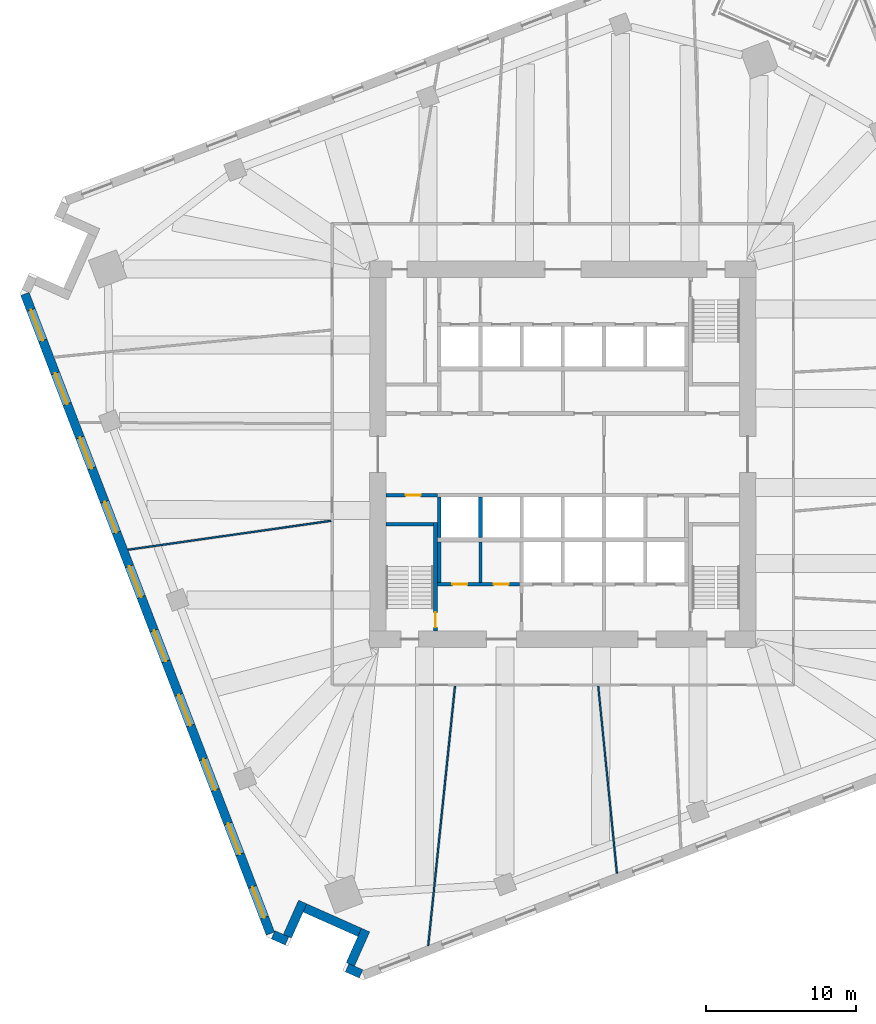
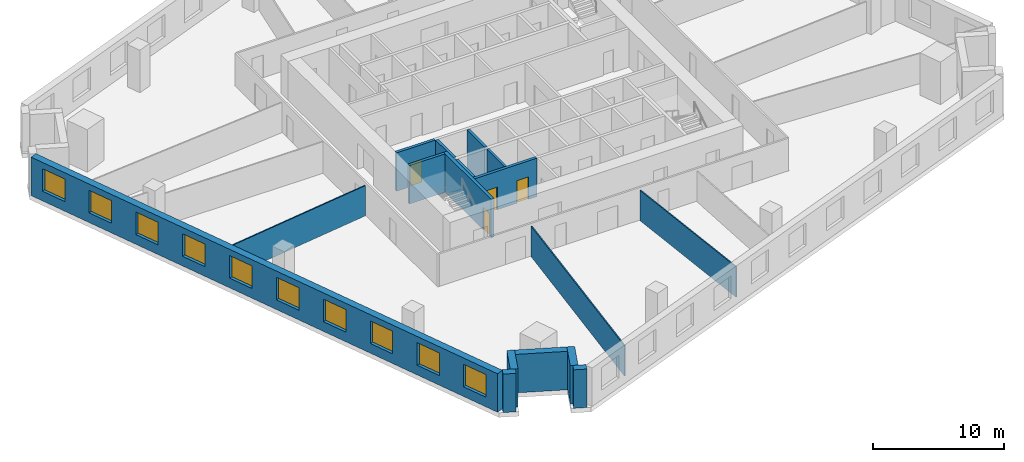
# One storey, part 7 of 14: 17 walls, 10 windows, 4 doors, 14 openings.
"""IFC4 building model written with IfcOpenShell, lengths in metres."""

import ifcopenshell
import ifcopenshell.guid

model = None  # the IFC model being written
_history = None  # IfcOwnerHistory: only IFC2X3 demands one
_inside = {}  # id of a spatial element -> (the spatial element, [elements in it])
_under = {}  # id of a project, library or spatial element -> (it, [spatial elements below it])
_declared = {}  # id of a project -> (the project, [libraries it declares])
_typed = {}  # id of a type object -> (the type object, [elements of that type])
_made_of = {}  # id of a material, layer set ... -> (it, [elements and type objects made of it])


def new_model(schema):
    """Start an empty IFC model of exactly this schema.

    Asked for "IFC4X3", IfcOpenShell would pick the latest addendum, in which some entities
    have other attributes; the version numbers below select the first issue.
    IFC2X3 requires an IfcOwnerHistory on every rooted entity: one is made here for all.
    """
    global model, _history
    if schema == "IFC4X3":
        model = ifcopenshell.file(schema_version=(4, 3, 0, 0))
    else:
        model = ifcopenshell.file(schema=schema)
    _inside.clear()
    _under.clear()
    _declared.clear()
    _typed.clear()
    _made_of.clear()
    _history = None
    if model.schema == "IFC2X3":
        org = make("IfcOrganization", Name="unknown")
        user = make(
            "IfcPersonAndOrganization",
            ThePerson=make("IfcPerson", FamilyName="unknown"),
            TheOrganization=org,
        )
        app = make(
            "IfcApplication",
            ApplicationDeveloper=org,
            Version="unknown",
            ApplicationFullName="unknown",
            ApplicationIdentifier="unknown",
        )
        _history = make(
            "IfcOwnerHistory",
            OwningUser=user,
            OwningApplication=app,
            ChangeAction="ADDED",
            CreationDate=0,
        )
    return model


def make(cls, **values):
    """One entity of the class cls with the attributes given. An attribute that is None is left unset."""
    return model.create_entity(
        cls, **{name: value for name, value in values.items() if value is not None}
    )


def rooted(cls, **values):
    """An entity with a GlobalId (a new one), such as an element, a storey or a relation."""
    return make(cls, GlobalId=ifcopenshell.guid.new(), OwnerHistory=_history, **values)


def si_unit(unit_type, name, prefix=None):
    """IfcSIUnit, for example si_unit("LENGTHUNIT", "METRE", prefix="MILLI")."""
    return make("IfcSIUnit", UnitType=unit_type, Prefix=prefix, Name=name)


def assignment(units):
    """IfcUnitAssignment: the units of a project."""
    return None if units is None else make("IfcUnitAssignment", Units=units)


def point(xyz):
    """IfcCartesianPoint."""
    return None if xyz is None else make("IfcCartesianPoint", Coordinates=xyz)


def direction(xyz):
    """IfcDirection."""
    return None if xyz is None else make("IfcDirection", DirectionRatios=xyz)


def frame(location, z_axis=None, x_axis=None):
    """IfcAxis2Placement3D, a coordinate frame: its origin and axes. An axis left out is left unset."""
    return make(
        "IfcAxis2Placement3D",
        Location=point(location),
        Axis=direction(z_axis),
        RefDirection=direction(x_axis),
    )


def frame_2d(location, x_axis=None):
    """IfcAxis2Placement2D, a coordinate frame in the plane: its origin and x axis."""
    return make(
        "IfcAxis2Placement2D", Location=point(location), RefDirection=direction(x_axis)
    )


def origin():
    """The frame at (0, 0, 0) with its axes left unset."""
    return frame((0.0, 0.0, 0.0))


def place(relative_to, where):
    """IfcLocalPlacement: puts the frame where relative to a parent placement (None: the world)."""
    return make(
        "IfcLocalPlacement", PlacementRelTo=relative_to, RelativePlacement=where
    )


def context(
    kind, dimensions, precision=None, world=None, true_north=None, identifier=None
):
    """IfcGeometricRepresentationContext, for example the 3D "Model" context."""
    return make(
        "IfcGeometricRepresentationContext",
        ContextIdentifier=identifier,
        ContextType=kind,
        CoordinateSpaceDimension=dimensions,
        Precision=precision,
        WorldCoordinateSystem=world,
        TrueNorth=true_north,
    )


def subcontext(parent, identifier, kind, view, scale=None):
    """IfcGeometricRepresentationSubContext, for example "Body" below "Model"."""
    return make(
        "IfcGeometricRepresentationSubContext",
        ContextIdentifier=identifier,
        ContextType=kind,
        ParentContext=parent,
        TargetScale=scale,
        TargetView=view,
    )


def project(units=None, contexts=None):
    """IfcProject with its units and contexts."""
    return rooted(
        "IfcProject",
        Name="project",
        RepresentationContexts=contexts,
        UnitsInContext=assignment(units),
    )


def spatial(cls, under=None, at=None, **own):
    """A site, building, storey or space (cls), placed at a placement, below another one or the project."""
    s = rooted(cls, ObjectPlacement=at, **own)
    if under is not None:
        _under.setdefault(under.id(), (under, []))[1].append(s)
    return s


def profile(cls, at=None, kind="AREA", **sizes):
    """A parametric profile (cls). Its sizes go by their IFC names, for example OverallWidth=200.0."""
    return make(cls, ProfileType=kind, Position=at, **sizes)


def rectangle(**sizes):
    """IfcRectangleProfileDef."""
    return profile("IfcRectangleProfileDef", **sizes)


def extrude(swept, where, along, depth):
    """IfcExtrudedAreaSolid: the profile swept, set in the frame where, extruded along a direction by depth."""
    return make(
        "IfcExtrudedAreaSolid",
        SweptArea=swept,
        Position=where,
        ExtrudedDirection=direction(along),
        Depth=depth,
    )


def shape(context_of_items, identifier, shape_type, items):
    """IfcShapeRepresentation: the items that make up one representation, for example the "Body"."""
    return make(
        "IfcShapeRepresentation",
        ContextOfItems=context_of_items,
        RepresentationIdentifier=identifier,
        RepresentationType=shape_type,
        Items=items,
    )


def material(Name=None, Category=None):
    """IfcMaterial."""
    return make("IfcMaterial", Name=Name, Category=Category)


def layer(
    of_material, thickness, ventilated=None, Name=None, Category=None, Priority=None
):
    """IfcMaterialLayer: one layer of a wall or slab, of a material (None: an air gap)."""
    return make(
        "IfcMaterialLayer",
        Material=of_material,
        LayerThickness=thickness,
        IsVentilated=ventilated,
        Name=Name,
        Category=Category,
        Priority=Priority,
    )


def layer_set(layers, Name=None):
    """IfcMaterialLayerSet."""
    return make("IfcMaterialLayerSet", MaterialLayers=layers, LayerSetName=Name)


def made_of(thing, what):
    """Note that an element or type object is made of a material, layer set ...; save() writes the relation."""
    if what is not None:
        _made_of.setdefault(what.id(), (what, []))[1].append(thing)
    return thing


def type_object(cls, material=None, **own):
    """A type object (cls), such as IfcWallType, which elements share."""
    return made_of(rooted(cls, **own), material)


def element(
    cls,
    number,
    at=None,
    inside=None,
    cuts=None,
    type_object=None,
    material=None,
    context=None,
    identifier="Body",
    shape_type=None,
    held_by="IfcProductDefinitionShape",
    body=None,
    shapes=None,
    **own,
):
    """One element of the class cls, such as IfcWall. Its Tag is "e" and its number.

    at: its placement. inside: the storey or other place that contains it. cuts: it is an
    opening in that element (IfcRelVoidsElement). A single representation is given by context,
    identifier, shape_type and body (its items); several are given by shapes. held_by: the class
    of the entity that holds the representations. save() writes the other relations.
    """
    e = rooted(cls, Tag="e%d" % number, ObjectPlacement=at, **own)
    if body is not None:
        shapes = [shape(context, identifier, shape_type, body)]
    if shapes is not None:
        e.Representation = make(held_by, Representations=shapes)
    if inside is not None:
        _inside.setdefault(inside.id(), (inside, []))[1].append(e)
    if cuts is not None:
        rooted(
            "IfcRelVoidsElement", RelatingBuildingElement=cuts, RelatedOpeningElement=e
        )
    if type_object is not None:
        _typed.setdefault(type_object.id(), (type_object, []))[1].append(e)
    return made_of(e, material)


def fill(opening, filler):
    """IfcRelFillsElement: the door or window that sits in an opening."""
    return rooted(
        "IfcRelFillsElement",
        RelatingOpeningElement=opening,
        RelatedBuildingElement=filler,
    )


def aggregate(whole, parts):
    """IfcRelAggregates: a whole, such as a stair, and the parts it consists of."""
    return rooted("IfcRelAggregates", RelatingObject=whole, RelatedObjects=parts)


def save(model, path):
    """Write the relations noted so far, then the file.

    IfcRelAggregates (storeys below a building ...), IfcRelContainedInSpatialStructure (elements
    in a storey), IfcRelDefinesByType, IfcRelAssociatesMaterial and IfcRelDeclares: one each for
    every whole, place, type object, material and project.
    """
    for whole, parts in _under.values():
        aggregate(whole, parts)
    for where, things in _inside.values():
        rooted(
            "IfcRelContainedInSpatialStructure",
            RelatedElements=things,
            RelatingStructure=where,
        )
    for kind, things in _typed.values():
        rooted("IfcRelDefinesByType", RelatedObjects=things, RelatingType=kind)
    for what, things in _made_of.values():
        rooted("IfcRelAssociatesMaterial", RelatedObjects=things, RelatingMaterial=what)
    for by, libraries in _declared.values():
        rooted("IfcRelDeclares", RelatingContext=by, RelatedDefinitions=libraries)
    model.write(path)


model = new_model("IFC4")

# Units and contexts
model_context = context("Model", 3, precision=1e-05, world=origin(), true_north=direction((0.0, 1.0)))
body_context = subcontext(model_context, "Body", "Model", "MODEL_VIEW")
ifc_project = project(units=[si_unit("LENGTHUNIT", "METRE"), si_unit("AREAUNIT", "SQUARE_METRE"), si_unit("VOLUMEUNIT", "CUBIC_METRE"), si_unit("PLANEANGLEUNIT", "RADIAN"), si_unit("MASSUNIT", "GRAM", prefix="KILO")], contexts=[model_context])

# Site, building, storey
site_placement = place(None, origin())
site = spatial("IfcSite", under=ifc_project, at=site_placement, CompositionType="ELEMENT")
building_placement = place(site_placement, origin())
building = spatial("IfcBuilding", under=site, at=building_placement, Name="Dilmun Exchange Tower", CompositionType="ELEMENT")
storey_placement = place(building_placement, frame((0.0, 0.0, 106.10009765625)))
storey = spatial("IfcBuildingStorey", under=building, at=storey_placement, Name="L24", CompositionType="ELEMENT", Elevation=106.10009765625)

# Wall
ifc_material_1 = material(Name="Concrete C40/50", Category="concrete")
ifc_layer_1 = layer(ifc_material_1, 0.199951171875)
ifc_layer_set_1 = layer_set([ifc_layer_1], Name="Concrete C40/50")
wall_type_1 = type_object("IfcWallType", Name="Core partition wall 200", PredefinedType="PARTITIONING", material=ifc_layer_set_1)
wall_1_placement = place(storey_placement, frame((-5.5, -8.544921875, 0.0), z_axis=(0.0, 0.0, 1.0), x_axis=(0.0, 1.0, 0.0)))
element("IfcWall", 1, at=wall_1_placement, inside=storey, type_object=wall_type_1, Name="L24 core partition wall 05", PredefinedType="PARTITIONING", context=body_context, shape_type="SweptSolid", body=[
    extrude(rectangle(XDim=2.68994140625, YDim=0.199951171875, at=frame_2d((1.344970703125, 0.0))), origin(), (0.0, 0.0, 1.0), 3.579833984375),
])

# Wall, openings, doors
ifc_layer_2 = layer(ifc_material_1, 0.25)
ifc_layer_set_2 = layer_set([ifc_layer_2], Name="Concrete C40/50")
wall_type_2 = type_object("IfcWallType", Name="Core partition wall 250", PredefinedType="PARTITIONING", material=ifc_layer_set_2)
wall_2_placement = place(storey_placement, frame((-8.3701171875, -8.675048828125, 0.0), z_axis=(0.0, 0.0, 1.0), x_axis=(1.0, 0.0, 0.0)))
wall_2 = element("IfcWall", 2, at=wall_2_placement, inside=storey, type_object=wall_type_2, Name="L24 core partition wall 03", PredefinedType="PARTITIONING", context=body_context, shape_type="SweptSolid", body=[
    extrude(rectangle(XDim=5.490234375, YDim=0.25, at=frame_2d((2.7451171875, 0.0))), origin(), (0.0, 0.0, 1.0), 3.579833984375),
])
opening_1_placement = place(wall_2_placement, frame((0.9951171875, 0.0, 0.0)))
opening_1 = element("IfcOpeningElement", 3, at=opening_1_placement, cuts=wall_2, Name="Opening CD4", PredefinedType="OPENING", context=body_context, shape_type="SweptSolid", body=[
    extrude(rectangle(XDim=1.0, YDim=2.10009765625, at=frame_2d((0.5, 1.050048828125))), frame((0.0, 0.135009765625, 0.0), z_axis=(0.0, -1.0, 0.0), x_axis=(1.0, 0.0, 0.0)), (0.0, 0.0, 1.0), 0.27001953125),
])
opening_2_placement = place(wall_2_placement, frame((3.7451171875, 0.0, 0.0)))
opening_2 = element("IfcOpeningElement", 4, at=opening_2_placement, cuts=wall_2, Name="Opening CD4", PredefinedType="OPENING", context=body_context, shape_type="SweptSolid", body=[
    extrude(rectangle(XDim=1.0, YDim=2.10009765625, at=frame_2d((0.5, 1.050048828125))), frame((0.0, 0.135009765625, 0.0), z_axis=(0.0, -1.0, 0.0), x_axis=(1.0, 0.0, 0.0)), (0.0, 0.0, 1.0), 0.27001953125),
])
ifc_material_2 = material(Name="Fire-rated steel door set", Category="steel")
door_type = type_object("IfcDoorType", Name="Core room door 1000x2100", OperationType="SINGLE_SWING_LEFT", PredefinedType="DOOR", material=ifc_material_2)
door_1_placement = place(opening_1_placement, origin())
door_1 = element("IfcDoor", 5, at=door_1_placement, inside=storey, type_object=door_type, Name="L24 door Male WC", OperationType="SINGLE_SWING_LEFT", OverallHeight=2.10009765625, OverallWidth=1.0, PredefinedType="DOOR", context=body_context, shape_type="SweptSolid", body=[
    extrude(rectangle(XDim=1.0, YDim=2.10009765625, at=frame_2d((0.5, 1.050048828125))), frame((0.0, 0.02490234375, 0.0), z_axis=(0.0, -1.0, 0.0), x_axis=(1.0, 0.0, 0.0)), (0.0, 0.0, 1.0), 0.050048828125),
])
fill(opening_1, door_1)
door_2_placement = place(opening_2_placement, origin())
door_2 = element("IfcDoor", 6, at=door_2_placement, inside=storey, type_object=door_type, Name="L24 door Female WC", OperationType="SINGLE_SWING_LEFT", OverallHeight=2.10009765625, OverallWidth=1.0, PredefinedType="DOOR", context=body_context, shape_type="SweptSolid", body=[
    extrude(rectangle(XDim=1.0, YDim=2.10009765625, at=frame_2d((0.5, 1.050048828125))), frame((0.0, 0.02490234375, 0.0), z_axis=(0.0, -1.0, 0.0), x_axis=(1.0, 0.0, 0.0)), (0.0, 0.0, 1.0), 0.050048828125),
])
fill(opening_2, door_2)

# Wall
wall_3_placement = place(storey_placement, frame((-8.25, -8.544921875, 0.0), z_axis=(0.0, 0.0, 1.0), x_axis=(0.0, 1.0, 0.0)))
element("IfcWall", 7, at=wall_3_placement, inside=storey, type_object=wall_type_2, Name="L24 core partition wall 04", PredefinedType="PARTITIONING", context=body_context, shape_type="SweptSolid", body=[
    extrude(rectangle(XDim=2.68994140625, YDim=0.25, at=frame_2d((1.344970703125, 0.0))), origin(), (0.0, 0.0, 1.0), 3.579833984375),
])

# Wall, opening, door
wall_4_placement = place(storey_placement, frame((-11.794921875, -2.72509765625, 0.0), z_axis=(0.0, 0.0, 1.0), x_axis=(1.0, 0.0, 0.0)))
wall_4 = element("IfcWall", 8, at=wall_4_placement, inside=storey, type_object=wall_type_2, Name="L24 core partition wall 07", PredefinedType="PARTITIONING", context=body_context, shape_type="SweptSolid", body=[
    extrude(rectangle(XDim=3.4150390625, YDim=0.25, at=frame_2d((1.70751953125, 0.0))), origin(), (0.0, 0.0, 1.0), 3.579833984375),
])
opening_3_placement = place(wall_4_placement, frame((1.294921875, 0.0, 0.0)))
opening_3 = element("IfcOpeningElement", 9, at=opening_3_placement, cuts=wall_4, Name="Opening CD4", PredefinedType="OPENING", context=body_context, shape_type="SweptSolid", body=[
    extrude(rectangle(XDim=1.0, YDim=2.10009765625, at=frame_2d((0.5, 1.050048828125))), frame((0.0, 0.135009765625, 0.0), z_axis=(0.0, -1.0, 0.0), x_axis=(1.0, 0.0, 0.0)), (0.0, 0.0, 1.0), 0.27001953125),
])
door_3_placement = place(opening_3_placement, origin())
door_3 = element("IfcDoor", 10, at=door_3_placement, inside=storey, type_object=door_type, Name="L24 door Accessible WC", OperationType="SINGLE_SWING_LEFT", OverallHeight=2.10009765625, OverallWidth=1.0, PredefinedType="DOOR", context=body_context, shape_type="SweptSolid", body=[
    extrude(rectangle(XDim=1.0, YDim=2.10009765625, at=frame_2d((0.5, 1.050048828125))), frame((0.0, 0.02490234375, 0.0), z_axis=(0.0, -1.0, 0.0), x_axis=(1.0, 0.0, 0.0)), (0.0, 0.0, 1.0), 0.050048828125),
])
fill(opening_3, door_3)

# Walls
ifc_layer_3 = layer(ifc_material_1, 0.25)
ifc_layer_set_3 = layer_set([ifc_layer_3], Name="Concrete C40/50")
wall_type_3 = type_object("IfcWallType", Name="Lift shaft wall 250", PredefinedType="SOLIDWALL", material=ifc_layer_set_3)
for number, where, z_axis, x_axis, name in (
    (11, (-8.25, -5.550048828125, 0.0), (0.0, 0.0, 1.0), (0.0, 1.0, 0.0), "L24 lift shaft divider S10"),
    (12, (-5.5, -5.550048828125, 0.0), (0.0, 0.0, 1.0), (0.0, 1.0, 0.0), "L24 lift shaft divider S11"),
):
    element("IfcWall", number, at=place(storey_placement, frame(where, z_axis=z_axis, x_axis=x_axis)), inside=storey, type_object=wall_type_3, Name=name, PredefinedType="SOLIDWALL", context=body_context, shape_type="SweptSolid", body=[
        extrude(rectangle(XDim=2.699951171875, YDim=0.25, at=frame_2d((1.35009765625, 0.0))), origin(), (0.0, 0.0, 1.0), 3.579833984375),
    ])
ifc_material_3 = material(Name="Partition 100")
ifc_layer_4 = layer(ifc_material_3, 0.10009765625)
ifc_layer_set_4 = layer_set([ifc_layer_4], Name="Partition 100")
wall_type_4 = type_object("IfcWallType", Name="Partition 100", PredefinedType="PARTITIONING", material=ifc_layer_set_4)
wall_5_placement = place(storey_placement, frame((-29.04443359375, -6.369873046875, 0.0), z_axis=(0.0, 0.0, 1.0), x_axis=(0.990003953949, 0.141039608496, 0.0)))
element("IfcWall", 13, at=wall_5_placement, inside=storey, type_object=wall_type_4, Name="Partition", PredefinedType="PARTITIONING", context=body_context, shape_type="SweptSolid", body=[
    extrude(rectangle(XDim=13.69921875, YDim=0.10009765625, at=frame_2d((6.849609375, 0.0))), origin(), (0.0, 0.0, 1.0), 2.829833984375),
])
wall_6_placement = place(storey_placement, frame((-8.99267578125, -32.79931640625, 0.0), z_axis=(0.0, 0.0, 1.0), x_axis=(0.102654687672, 0.994717052784, 0.0)))
element("IfcWall", 14, at=wall_6_placement, inside=storey, type_object=wall_type_4, Name="Partition", PredefinedType="PARTITIONING", context=body_context, shape_type="SweptSolid", body=[
    extrude(rectangle(XDim=17.411376953125, YDim=0.10009765625, at=frame_2d((8.70556640625, 0.0))), origin(), (0.0, 0.0, 1.0), 2.829833984375),
])
wall_7_placement = place(storey_placement, frame((2.360107421875, -15.47998046875, 0.0), z_axis=(0.0, 0.0, 1.0), x_axis=(0.099470960922, -0.995040465475, 0.0)))
element("IfcWall", 15, at=wall_7_placement, inside=storey, type_object=wall_type_4, Name="Partition", PredefinedType="PARTITIONING", context=body_context, shape_type="SweptSolid", body=[
    extrude(rectangle(XDim=12.54443359375, YDim=0.10009765625, at=frame_2d((6.272216796875, 0.0))), origin(), (0.0, 0.0, 1.0), 2.829833984375),
])

# Wall, openings, windows
ifc_material_4 = material(Name="Precast concrete C50/60", Category="concrete")
ifc_layer_5 = layer(ifc_material_4, 0.60009765625)
ifc_layer_set_5 = layer_set([ifc_layer_5], Name="Precast concrete C50/60")
wall_type_5 = type_object("IfcWallType", Name="Precast stone-clad wall 600", PredefinedType="STANDARD", material=ifc_layer_set_5)
wall_8_placement = place(storey_placement, frame((-35.92529296875, 10.712890625, 0.0), z_axis=(0.0, 0.0, 1.0), x_axis=(0.358368969683, -0.933580034902, 0.0)))
wall_8 = element("IfcWall", 16, at=wall_8_placement, inside=storey, type_object=wall_type_5, Name="Facade wall L24-09", PredefinedType="STANDARD", context=body_context, shape_type="SweptSolid", body=[
    extrude(rectangle(XDim=45.751708984375, YDim=0.60009765625, at=frame_2d((22.8759765625, 0.0))), origin(), (0.0, 0.0, 1.0), 3.579833984375),
])
opening_4_placement = place(wall_8_placement, frame((1.137939453125, 0.0, 0.89990234375)))
opening_4 = element("IfcOpeningElement", 17, at=opening_4_placement, cuts=wall_8, Name="Opening W220-210", PredefinedType="OPENING", context=body_context, shape_type="SweptSolid", body=[
    extrude(rectangle(XDim=2.199951171875, YDim=2.10009765625, at=frame_2d((1.10009765625, 1.050048828125))), frame((0.0, 0.31005859375, 0.0), z_axis=(0.0, -1.0, 0.0), x_axis=(1.0, 0.0, 0.0)), (0.0, 0.0, 1.0), 0.6201171875),
])
opening_5_placement = place(wall_8_placement, frame((5.67578125, 0.0, 0.89990234375)))
opening_5 = element("IfcOpeningElement", 18, at=opening_5_placement, cuts=wall_8, Name="Opening W220-210", PredefinedType="OPENING", context=body_context, shape_type="SweptSolid", body=[
    extrude(rectangle(XDim=2.199951171875, YDim=2.10009765625, at=frame_2d((1.10009765625, 1.050048828125))), frame((0.0, 0.31005859375, 0.0), z_axis=(0.0, -1.0, 0.0), x_axis=(1.0, 0.0, 0.0)), (0.0, 0.0, 1.0), 0.6201171875),
])
opening_6_placement = place(wall_8_placement, frame((10.275634765625, 0.0, 0.89990234375)))
opening_6 = element("IfcOpeningElement", 19, at=opening_6_placement, cuts=wall_8, Name="Opening W220-210", PredefinedType="OPENING", context=body_context, shape_type="SweptSolid", body=[
    extrude(rectangle(XDim=2.199951171875, YDim=2.10009765625, at=frame_2d((1.10009765625, 1.050048828125))), frame((0.0, 0.31005859375, 0.0), z_axis=(0.0, -1.0, 0.0), x_axis=(1.0, 0.0, 0.0)), (0.0, 0.0, 1.0), 0.6201171875),
])
opening_7_placement = place(wall_8_placement, frame((14.875732421875, 0.0, 0.89990234375)))
opening_7 = element("IfcOpeningElement", 20, at=opening_7_placement, cuts=wall_8, Name="Opening W220-210", PredefinedType="OPENING", context=body_context, shape_type="SweptSolid", body=[
    extrude(rectangle(XDim=2.199951171875, YDim=2.10009765625, at=frame_2d((1.10009765625, 1.050048828125))), frame((0.0, 0.31005859375, 0.0), z_axis=(0.0, -1.0, 0.0), x_axis=(1.0, 0.0, 0.0)), (0.0, 0.0, 1.0), 0.6201171875),
])
opening_8_placement = place(wall_8_placement, frame((19.4755859375, 0.0, 0.89990234375)))
opening_8 = element("IfcOpeningElement", 21, at=opening_8_placement, cuts=wall_8, Name="Opening W220-210", PredefinedType="OPENING", context=body_context, shape_type="SweptSolid", body=[
    extrude(rectangle(XDim=2.199951171875, YDim=2.10009765625, at=frame_2d((1.10009765625, 1.050048828125))), frame((0.0, 0.31005859375, 0.0), z_axis=(0.0, -1.0, 0.0), x_axis=(1.0, 0.0, 0.0)), (0.0, 0.0, 1.0), 0.6201171875),
])
opening_9_placement = place(wall_8_placement, frame((24.07568359375, 0.0, 0.89990234375)))
opening_9 = element("IfcOpeningElement", 22, at=opening_9_placement, cuts=wall_8, Name="Opening W220-210", PredefinedType="OPENING", context=body_context, shape_type="SweptSolid", body=[
    extrude(rectangle(XDim=2.199951171875, YDim=2.10009765625, at=frame_2d((1.10009765625, 1.050048828125))), frame((0.0, 0.31005859375, 0.0), z_axis=(0.0, -1.0, 0.0), x_axis=(1.0, 0.0, 0.0)), (0.0, 0.0, 1.0), 0.6201171875),
])
opening_10_placement = place(wall_8_placement, frame((28.67578125, 0.0, 0.89990234375)))
opening_10 = element("IfcOpeningElement", 23, at=opening_10_placement, cuts=wall_8, Name="Opening W220-210", PredefinedType="OPENING", context=body_context, shape_type="SweptSolid", body=[
    extrude(rectangle(XDim=2.199951171875, YDim=2.10009765625, at=frame_2d((1.10009765625, 1.050048828125))), frame((0.0, 0.31005859375, 0.0), z_axis=(0.0, -1.0, 0.0), x_axis=(1.0, 0.0, 0.0)), (0.0, 0.0, 1.0), 0.6201171875),
])
opening_11_placement = place(wall_8_placement, frame((33.275634765625, 0.0, 0.89990234375)))
opening_11 = element("IfcOpeningElement", 24, at=opening_11_placement, cuts=wall_8, Name="Opening W220-210", PredefinedType="OPENING", context=body_context, shape_type="SweptSolid", body=[
    extrude(rectangle(XDim=2.199951171875, YDim=2.10009765625, at=frame_2d((1.10009765625, 1.050048828125))), frame((0.0, 0.31005859375, 0.0), z_axis=(0.0, -1.0, 0.0), x_axis=(1.0, 0.0, 0.0)), (0.0, 0.0, 1.0), 0.6201171875),
])
opening_12_placement = place(wall_8_placement, frame((37.875732421875, 0.0, 0.89990234375)))
opening_12 = element("IfcOpeningElement", 25, at=opening_12_placement, cuts=wall_8, Name="Opening W220-210", PredefinedType="OPENING", context=body_context, shape_type="SweptSolid", body=[
    extrude(rectangle(XDim=2.199951171875, YDim=2.10009765625, at=frame_2d((1.10009765625, 1.050048828125))), frame((0.0, 0.31005859375, 0.0), z_axis=(0.0, -1.0, 0.0), x_axis=(1.0, 0.0, 0.0)), (0.0, 0.0, 1.0), 0.6201171875),
])
opening_13_placement = place(wall_8_placement, frame((42.41357421875, 0.0, 0.89990234375)))
opening_13 = element("IfcOpeningElement", 26, at=opening_13_placement, cuts=wall_8, Name="Opening W220-210", PredefinedType="OPENING", context=body_context, shape_type="SweptSolid", body=[
    extrude(rectangle(XDim=2.199951171875, YDim=2.10009765625, at=frame_2d((1.10009765625, 1.050048828125))), frame((0.0, 0.31005859375, 0.0), z_axis=(0.0, -1.0, 0.0), x_axis=(1.0, 0.0, 0.0)), (0.0, 0.0, 1.0), 0.6201171875),
])
ifc_material_5 = material(Name="Clear low-emissivity glass in aluminium frame", Category="aluminium")
window_type = type_object("IfcWindowType", Name="Punched window 2200 x 2100", PartitioningType="DOUBLE_PANEL_VERTICAL", PredefinedType="WINDOW", material=ifc_material_5)
window_1_placement = place(opening_4_placement, origin())
window_1 = element("IfcWindow", 27, at=window_1_placement, inside=storey, type_object=window_type, Name="Window 10.1", OverallHeight=2.10009765625, OverallWidth=2.199951171875, PartitioningType="SINGLE_PANEL", PredefinedType="WINDOW", context=body_context, shape_type="SweptSolid", body=[
    extrude(rectangle(XDim=2.199951171875, YDim=2.10009765625, at=frame_2d((1.10009765625, 1.050048828125))), frame((0.0, 0.030029296875, 0.0), z_axis=(0.0, -1.0, 0.0), x_axis=(1.0, 0.0, 0.0)), (0.0, 0.0, 1.0), 0.06005859375),
])
fill(opening_4, window_1)
window_2_placement = place(opening_5_placement, origin())
window_2 = element("IfcWindow", 28, at=window_2_placement, inside=storey, type_object=window_type, Name="Window 10.2", OverallHeight=2.10009765625, OverallWidth=2.199951171875, PartitioningType="SINGLE_PANEL", PredefinedType="WINDOW", context=body_context, shape_type="SweptSolid", body=[
    extrude(rectangle(XDim=2.199951171875, YDim=2.10009765625, at=frame_2d((1.10009765625, 1.050048828125))), frame((0.0, 0.030029296875, 0.0), z_axis=(0.0, -1.0, 0.0), x_axis=(1.0, 0.0, 0.0)), (0.0, 0.0, 1.0), 0.06005859375),
])
fill(opening_5, window_2)
window_3_placement = place(opening_6_placement, origin())
window_3 = element("IfcWindow", 29, at=window_3_placement, inside=storey, type_object=window_type, Name="Window 10.3", OverallHeight=2.10009765625, OverallWidth=2.199951171875, PartitioningType="SINGLE_PANEL", PredefinedType="WINDOW", context=body_context, shape_type="SweptSolid", body=[
    extrude(rectangle(XDim=2.199951171875, YDim=2.10009765625, at=frame_2d((1.10009765625, 1.050048828125))), frame((0.0, 0.030029296875, 0.0), z_axis=(0.0, -1.0, 0.0), x_axis=(1.0, 0.0, 0.0)), (0.0, 0.0, 1.0), 0.06005859375),
])
fill(opening_6, window_3)
window_4_placement = place(opening_7_placement, origin())
window_4 = element("IfcWindow", 30, at=window_4_placement, inside=storey, type_object=window_type, Name="Window 10.4", OverallHeight=2.10009765625, OverallWidth=2.199951171875, PartitioningType="SINGLE_PANEL", PredefinedType="WINDOW", context=body_context, shape_type="SweptSolid", body=[
    extrude(rectangle(XDim=2.199951171875, YDim=2.10009765625, at=frame_2d((1.10009765625, 1.050048828125))), frame((0.0, 0.030029296875, 0.0), z_axis=(0.0, -1.0, 0.0), x_axis=(1.0, 0.0, 0.0)), (0.0, 0.0, 1.0), 0.06005859375),
])
fill(opening_7, window_4)
window_5_placement = place(opening_8_placement, origin())
window_5 = element("IfcWindow", 31, at=window_5_placement, inside=storey, type_object=window_type, Name="Window 10.5", OverallHeight=2.10009765625, OverallWidth=2.199951171875, PartitioningType="SINGLE_PANEL", PredefinedType="WINDOW", context=body_context, shape_type="SweptSolid", body=[
    extrude(rectangle(XDim=2.199951171875, YDim=2.10009765625, at=frame_2d((1.10009765625, 1.050048828125))), frame((0.0, 0.030029296875, 0.0), z_axis=(0.0, -1.0, 0.0), x_axis=(1.0, 0.0, 0.0)), (0.0, 0.0, 1.0), 0.06005859375),
])
fill(opening_8, window_5)
window_6_placement = place(opening_9_placement, origin())
window_6 = element("IfcWindow", 32, at=window_6_placement, inside=storey, type_object=window_type, Name="Window 10.6", OverallHeight=2.10009765625, OverallWidth=2.199951171875, PartitioningType="SINGLE_PANEL", PredefinedType="WINDOW", context=body_context, shape_type="SweptSolid", body=[
    extrude(rectangle(XDim=2.199951171875, YDim=2.10009765625, at=frame_2d((1.10009765625, 1.050048828125))), frame((0.0, 0.030029296875, 0.0), z_axis=(0.0, -1.0, 0.0), x_axis=(1.0, 0.0, 0.0)), (0.0, 0.0, 1.0), 0.06005859375),
])
fill(opening_9, window_6)
window_7_placement = place(opening_10_placement, origin())
window_7 = element("IfcWindow", 33, at=window_7_placement, inside=storey, type_object=window_type, Name="Window 10.7", OverallHeight=2.10009765625, OverallWidth=2.199951171875, PartitioningType="SINGLE_PANEL", PredefinedType="WINDOW", context=body_context, shape_type="SweptSolid", body=[
    extrude(rectangle(XDim=2.199951171875, YDim=2.10009765625, at=frame_2d((1.10009765625, 1.050048828125))), frame((0.0, 0.030029296875, 0.0), z_axis=(0.0, -1.0, 0.0), x_axis=(1.0, 0.0, 0.0)), (0.0, 0.0, 1.0), 0.06005859375),
])
fill(opening_10, window_7)
window_8_placement = place(opening_11_placement, origin())
window_8 = element("IfcWindow", 34, at=window_8_placement, inside=storey, type_object=window_type, Name="Window 10.8", OverallHeight=2.10009765625, OverallWidth=2.199951171875, PartitioningType="SINGLE_PANEL", PredefinedType="WINDOW", context=body_context, shape_type="SweptSolid", body=[
    extrude(rectangle(XDim=2.199951171875, YDim=2.10009765625, at=frame_2d((1.10009765625, 1.050048828125))), frame((0.0, 0.030029296875, 0.0), z_axis=(0.0, -1.0, 0.0), x_axis=(1.0, 0.0, 0.0)), (0.0, 0.0, 1.0), 0.06005859375),
])
fill(opening_11, window_8)
window_9_placement = place(opening_12_placement, origin())
window_9 = element("IfcWindow", 35, at=window_9_placement, inside=storey, type_object=window_type, Name="Window 10.9", OverallHeight=2.10009765625, OverallWidth=2.199951171875, PartitioningType="SINGLE_PANEL", PredefinedType="WINDOW", context=body_context, shape_type="SweptSolid", body=[
    extrude(rectangle(XDim=2.199951171875, YDim=2.10009765625, at=frame_2d((1.10009765625, 1.050048828125))), frame((0.0, 0.030029296875, 0.0), z_axis=(0.0, -1.0, 0.0), x_axis=(1.0, 0.0, 0.0)), (0.0, 0.0, 1.0), 0.06005859375),
])
fill(opening_12, window_9)
window_10_placement = place(opening_13_placement, origin())
window_10 = element("IfcWindow", 36, at=window_10_placement, inside=storey, type_object=window_type, Name="Window 10.10", OverallHeight=2.10009765625, OverallWidth=2.199951171875, PartitioningType="SINGLE_PANEL", PredefinedType="WINDOW", context=body_context, shape_type="SweptSolid", body=[
    extrude(rectangle(XDim=2.199951171875, YDim=2.10009765625, at=frame_2d((1.10009765625, 1.050048828125))), frame((0.0, 0.030029296875, 0.0), z_axis=(0.0, -1.0, 0.0), x_axis=(1.0, 0.0, 0.0)), (0.0, 0.0, 1.0), 0.06005859375),
])
fill(opening_13, window_10)

# Walls
wall_9_placement = place(storey_placement, frame((-19.3466796875, -32.081298828125, 0.0), z_axis=(0.0, 0.0, 1.0), x_axis=(0.913612312282, -0.406586451872, 0.0)))
element("IfcWall", 37, at=wall_9_placement, inside=storey, type_object=wall_type_5, Name="Facade wall L24-10", PredefinedType="STANDARD", context=body_context, shape_type="SweptSolid", body=[
    extrude(rectangle(XDim=1.01123046875, YDim=0.60009765625, at=frame_2d((0.505615234375, 0.0))), origin(), (0.0, 0.0, 1.0), 3.579833984375),
])
wall_10_placement = place(storey_placement, frame((-18.39208984375, -32.177734375, 0.0), z_axis=(0.0, 0.0, 1.0), x_axis=(0.406727323635, 0.913549606868, 0.0)))
element("IfcWall", 38, at=wall_10_placement, inside=storey, type_object=wall_type_5, Name="Facade wall L24-11", PredefinedType="STANDARD", context=body_context, shape_type="SweptSolid", body=[
    extrude(rectangle(XDim=2.5, YDim=0.60009765625, at=frame_2d((1.25, 0.0))), origin(), (0.0, 0.0, 1.0), 3.579833984375),
])
wall_11_placement = place(storey_placement, frame((-17.223388671875, -30.2900390625, 0.0), z_axis=(0.0, 0.0, 1.0), x_axis=(0.913549606868, -0.406727323635, 0.0)))
element("IfcWall", 39, at=wall_11_placement, inside=storey, type_object=wall_type_5, Name="Facade wall L24-12", PredefinedType="STANDARD", context=body_context, shape_type="SweptSolid", body=[
    extrude(rectangle(XDim=4.0, YDim=0.60009765625, at=frame_2d((2.0, 0.0))), origin(), (0.0, 0.0, 1.0), 3.579833984375),
])
wall_12_placement = place(storey_placement, frame((-13.173095703125, -31.764892578125, 0.0), z_axis=(0.0, 0.0, 1.0), x_axis=(-0.406727323635, -0.913549606868, 0.0)))
element("IfcWall", 40, at=wall_12_placement, inside=storey, type_object=wall_type_5, Name="Facade wall L24-13", PredefinedType="STANDARD", context=body_context, shape_type="SweptSolid", body=[
    extrude(rectangle(XDim=2.5, YDim=0.60009765625, at=frame_2d((1.25, 0.0))), origin(), (0.0, 0.0, 1.0), 3.579833984375),
])
wall_13_placement = place(storey_placement, frame((-14.4033203125, -34.2822265625, 0.0), z_axis=(0.0, 0.0, 1.0), x_axis=(0.913522612657, -0.406787949875, 0.0)))
element("IfcWall", 41, at=wall_13_placement, inside=storey, type_object=wall_type_5, Name="Facade wall L24-14", PredefinedType="STANDARD", context=body_context, shape_type="SweptSolid", body=[
    extrude(rectangle(XDim=1.01123046875, YDim=0.60009765625, at=frame_2d((0.505615234375, 0.0))), origin(), (0.0, 0.0, 1.0), 3.579833984375),
])
ifc_layer_6 = layer(ifc_material_1, 0.25)
ifc_layer_set_6 = layer_set([ifc_layer_6], Name="Concrete C40/50")
wall_type_6 = type_object("IfcWallType", Name="Stair end wall 250", PredefinedType="SOLIDWALL", material=ifc_layer_set_6)
wall_14_placement = place(storey_placement, frame((-8.64990234375, -4.675048828125, 0.0), z_axis=(0.0, 0.0, 1.0), x_axis=(-1.0, 0.0, 0.0)))
element("IfcWall", 42, at=wall_14_placement, inside=storey, type_object=wall_type_6, Name="L24 ST2 far wall", PredefinedType="SOLIDWALL", context=body_context, shape_type="SweptSolid", body=[
    extrude(rectangle(XDim=3.150146484375, YDim=0.25, at=frame_2d((1.5751953125, 0.0))), origin(), (0.0, 0.0, 1.0), 3.579833984375),
])

# Wall, opening, door
ifc_layer_7 = layer(ifc_material_1, 0.27490234375)
ifc_layer_set_7 = layer_set([ifc_layer_7], Name="Concrete C40/50")
wall_type_7 = type_object("IfcWallType", Name="Stair wall 275", PredefinedType="SOLIDWALL", material=ifc_layer_set_7)
wall_15_placement = place(storey_placement, frame((-8.512451171875, -4.550048828125, 0.0), z_axis=(0.0, 0.0, 1.0), x_axis=(0.0, -1.0, 0.0)))
wall_15 = element("IfcWall", 43, at=wall_15_placement, inside=storey, type_object=wall_type_7, Name="L24 ST2 wall to lift block", PredefinedType="SOLIDWALL", context=body_context, shape_type="SweptSolid", body=[
    extrude(rectangle(XDim=7.25, YDim=0.27490234375, at=frame_2d((3.625, 0.0))), origin(), (0.0, 0.0, 1.0), 3.579833984375),
])
opening_14_placement = place(wall_15_placement, frame((6.0, 0.0, 0.0)))
opening_14 = element("IfcOpeningElement", 44, at=opening_14_placement, cuts=wall_15, Name="Opening CD4", PredefinedType="OPENING", context=body_context, shape_type="SweptSolid", body=[
    extrude(rectangle(XDim=1.0, YDim=2.10009765625, at=frame_2d((0.5, 1.050048828125))), frame((0.0, 0.1474609375, 0.0), z_axis=(0.0, -1.0, 0.0), x_axis=(1.0, 0.0, 0.0)), (0.0, 0.0, 1.0), 0.294921875),
])
door_4_placement = place(opening_14_placement, origin())
door_4 = element("IfcDoor", 45, at=door_4_placement, inside=storey, type_object=door_type, Name="L24 door ST2 from lobby", OperationType="SINGLE_SWING_LEFT", OverallHeight=2.10009765625, OverallWidth=1.0, PredefinedType="DOOR", context=body_context, shape_type="SweptSolid", body=[
    extrude(rectangle(XDim=1.0, YDim=2.10009765625, at=frame_2d((0.5, 1.050048828125))), frame((0.0, 0.02490234375, 0.0), z_axis=(0.0, -1.0, 0.0), x_axis=(1.0, 0.0, 0.0)), (0.0, 0.0, 1.0), 0.050048828125),
])
fill(opening_14, door_4)

save(model, "model.ifc")
